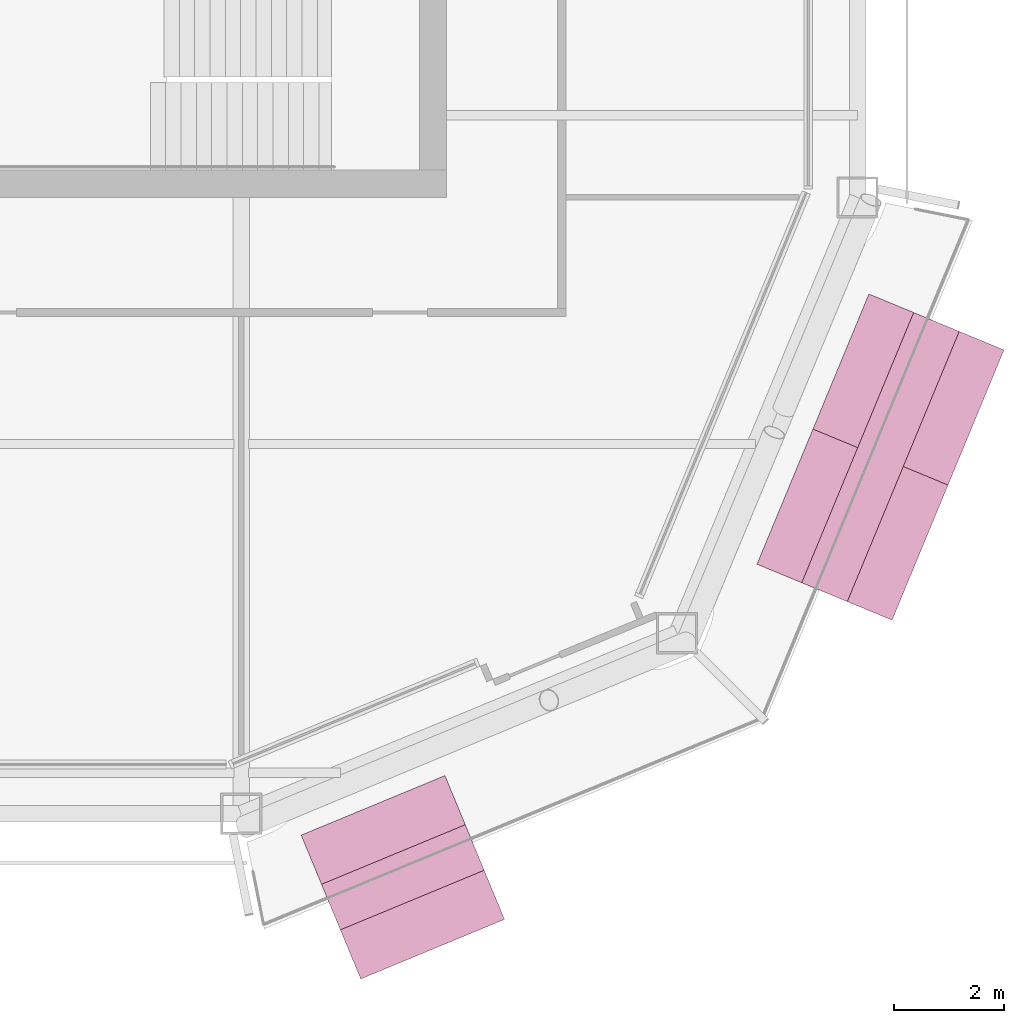
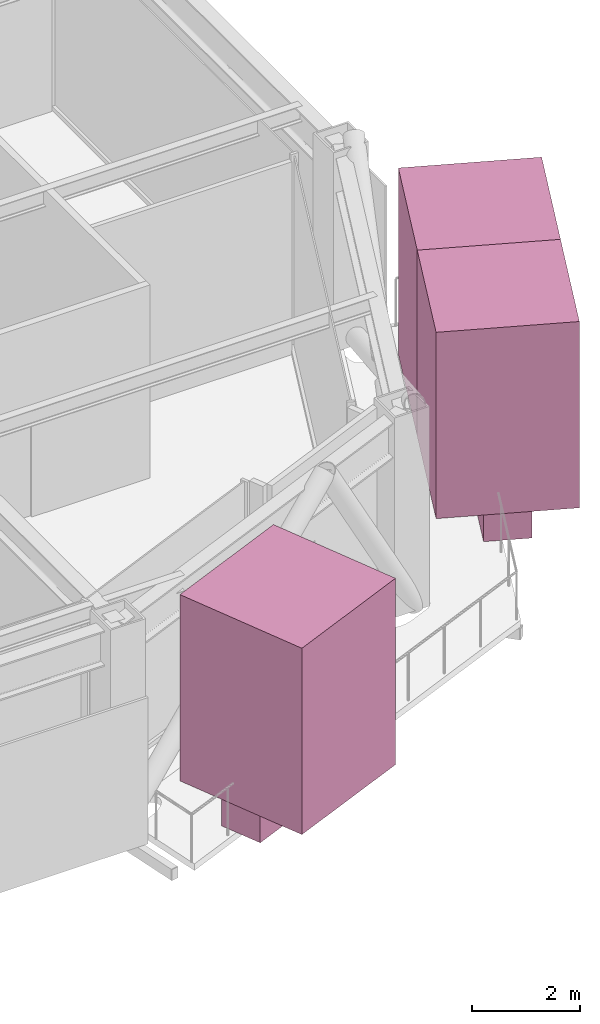
# One storey, part 21 of 21: 5 furnishings.
"""IFC4 building model written with IfcOpenShell, lengths in metres."""

from ifc_helpers import new_model, si_unit, direction, frame, origin, origin_2d, place, context, subcontext, project, spatial, rectangle, extrude, material, type_object, element, save


model = new_model("IFC4")

# Units and contexts
model_context = context("Model", 3, precision=1e-05, world=origin(), true_north=direction((0.0, 1.0)))
body_context = subcontext(model_context, "Body", "Model", "MODEL_VIEW")
ifc_project = project(units=[si_unit("LENGTHUNIT", "METRE"), si_unit("AREAUNIT", "SQUARE_METRE"), si_unit("VOLUMEUNIT", "CUBIC_METRE"), si_unit("PLANEANGLEUNIT", "RADIAN"), si_unit("MASSUNIT", "GRAM", prefix="KILO")], contexts=[model_context])

# Site, building, storey
site_placement = place(None, origin())
site = spatial("IfcSite", under=ifc_project, at=site_placement, CompositionType="ELEMENT")
building_placement = place(site_placement, origin())
building = spatial("IfcBuilding", under=site, at=building_placement, Name="Siwar Civic Tower", CompositionType="ELEMENT")
storey_placement = place(building_placement, frame((0.0, 0.0, 303.199951171875)))
storey = spatial("IfcBuildingStorey", under=building, at=storey_placement, Name="L65", CompositionType="ELEMENT", Elevation=303.199951171875)

# Furnishings
ifc_material_1 = material(Name="Planting soil and foliage")
furnishing_element_type_1 = type_object("IfcFurnishingElementType", Name="ENV-PLANTER", material=ifc_material_1)
furnishing_1_placement = place(storey_placement, frame((16.449951171875, -25.909423828125, 0.0), z_axis=(0.0, 0.0, 1.0), x_axis=(0.923879532511, 0.382683432365, 0.0)))
element("IfcFurnishingElement", 1, at=furnishing_1_placement, inside=storey, type_object=furnishing_element_type_1, Name="PLANTER SE 1", context=body_context, shape_type="SweptSolid", body=[
    extrude(rectangle(XDim=2.84130859375, YDim=0.89990234375, at=origin_2d()), origin(), (0.0, 0.0, 1.0), 0.60009765625),
])
furnishing_2_placement = place(storey_placement, frame((25.16796875, -18.23974609375, 0.0), z_axis=(0.0, 0.0, 1.0), x_axis=(0.382683432365, 0.923879532511, 0.0)))
element("IfcFurnishingElement", 2, at=furnishing_2_placement, inside=storey, type_object=furnishing_element_type_1, Name="PLANTER SE 2", context=body_context, shape_type="SweptSolid", body=[
    extrude(rectangle(XDim=5.33837890625, YDim=0.89990234375, at=origin_2d()), origin(), (0.0, 0.0, 1.0), 0.60009765625),
])
ifc_material_2 = material(Name="Planting soil and foliage")
furnishing_element_type_2 = type_object("IfcFurnishingElementType", Name="ENV-TREE", material=ifc_material_2)
furnishing_3_placement = place(storey_placement, frame((16.449951171875, -25.909423828125, 0.60009765625), z_axis=(0.0, 0.0, 1.0), x_axis=(0.923879532511, 0.382683432365, 0.0)))
element("IfcFurnishingElement", 3, at=furnishing_3_placement, inside=storey, type_object=furnishing_element_type_2, Name="PLANTER (TREE) SE 1.1", context=body_context, shape_type="SweptSolid", body=[
    extrude(rectangle(XDim=2.84130859375, YDim=2.84130859375, at=origin_2d()), origin(), (0.0, 0.0, 1.0), 4.199951171875),
])
for number, where, z_axis, x_axis, name in (
    (4, (24.6572265625, -19.472900390625, 0.60009765625), (0.0, 0.0, 1.0), (0.382683432365, 0.923879532511, 0.0), "PLANTER (TREE) SE 2.1"),
    (5, (25.6787109375, -17.0068359375, 0.60009765625), (0.0, 0.0, 1.0), (0.382683432365, 0.923879532511, 0.0), "PLANTER (TREE) SE 2.2"),
):
    element("IfcFurnishingElement", number, at=place(storey_placement, frame(where, z_axis=z_axis, x_axis=x_axis)), inside=storey, type_object=furnishing_element_type_2, Name=name, context=body_context, shape_type="SweptSolid", body=[
        extrude(rectangle(XDim=2.669189453125, YDim=2.669189453125, at=origin_2d()), origin(), (0.0, 0.0, 1.0), 4.199951171875),
    ])

save(model, "model.ifc")
